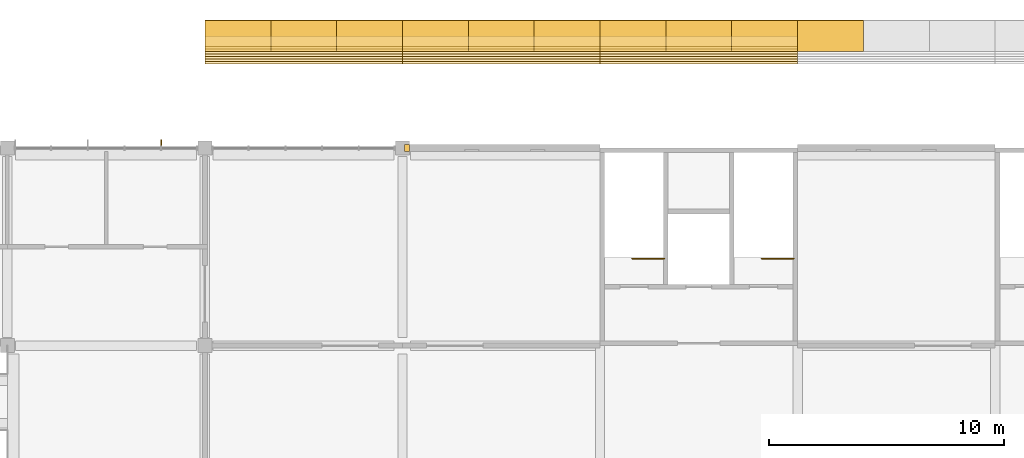
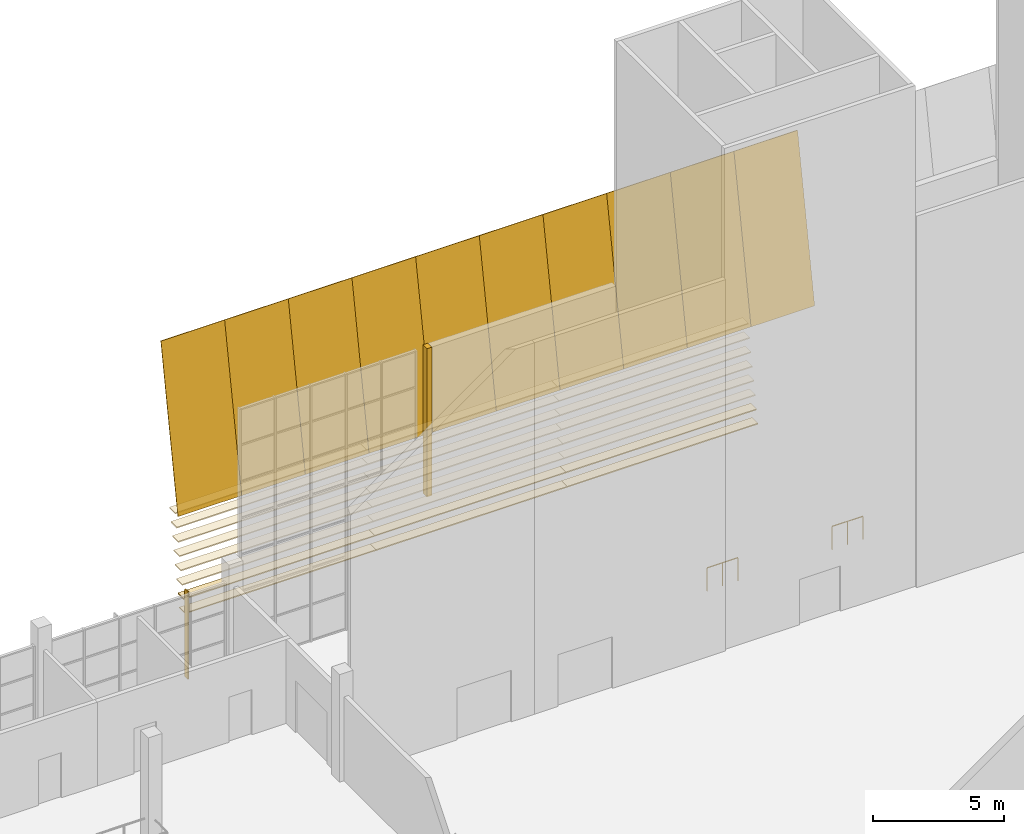
# One storey, part 56 of 59: 35 coverings, 2 railings, 1 shading device.
"""IFC4 building model written with IfcOpenShell, lengths in metres."""

from ifc_helpers import new_model, si_unit, direction, frame, origin, origin_2d, place, context, subcontext, project, spatial, polyline, rectangle, circle, outline, extrude, material, layer, layer_set, material_profile, profile_set, type_object, element, save


model = new_model("IFC4")

# Units and contexts
model_context = context("Model", 3, precision=1e-05, world=origin(), true_north=direction((0.0, 1.0)))
body_context = subcontext(model_context, "Body", "Model", "MODEL_VIEW")
ifc_project = project(units=[si_unit("LENGTHUNIT", "METRE"), si_unit("AREAUNIT", "SQUARE_METRE"), si_unit("VOLUMEUNIT", "CUBIC_METRE"), si_unit("PLANEANGLEUNIT", "RADIAN"), si_unit("MASSUNIT", "GRAM", prefix="KILO")], contexts=[model_context])

# Site, building, storey
site_placement = place(None, origin())
site = spatial("IfcSite", under=ifc_project, at=site_placement, CompositionType="ELEMENT")
building_placement = place(site_placement, origin())
building = spatial("IfcBuilding", under=site, at=building_placement, Name="Almond Square Museum", CompositionType="ELEMENT")
storey_placement = place(building_placement, frame((0.0, 0.0, 25.0)))
storey = spatial("IfcBuildingStorey", under=building, at=storey_placement, Name="L04", CompositionType="ELEMENT", Elevation=25.0)

# Coverings
ifc_material_1 = material(Name="Cedar timber louvre board", Category="wood")
ifc_material_profile_1 = material_profile(ifc_material_1, rectangle(XDim=0.449951171875, YDim=0.050048828125, at=origin_2d()))
ifc_profile_set_1 = profile_set([ifc_material_profile_1], Name="Cedar timber louvre board")
covering_type_1 = type_object("IfcCoveringType", Name="Louvre board 450 x 50", PredefinedType="CLADDING", material=ifc_profile_set_1)
covering_1_placement = place(storey_placement, frame((106.800048828125, 112.997802734375, 0.300048828125), z_axis=(1.0, 0.0, 0.0), x_axis=(0.0, 1.0, 0.0)))
element("IfcCovering", 1, at=covering_1_placement, inside=storey, type_object=covering_type_1, Name="Louvre board N31.01", PredefinedType="CLADDING", context=body_context, shape_type="SweptSolid", body=[
    extrude(rectangle(XDim=0.449951171875, YDim=0.050048828125, at=origin_2d()), origin(), (0.0, 0.0, 1.0), 8.39990234375),
])
covering_2_placement = place(storey_placement, frame((115.199951171875, 112.997802734375, 0.300048828125), z_axis=(1.0, 0.0, 0.0), x_axis=(0.0, 1.0, 0.0)))
element("IfcCovering", 2, at=covering_2_placement, inside=storey, type_object=covering_type_1, Name="Louvre board N31.02", PredefinedType="CLADDING", context=body_context, shape_type="SweptSolid", body=[
    extrude(rectangle(XDim=0.449951171875, YDim=0.050048828125, at=origin_2d()), origin(), (0.0, 0.0, 1.0), 8.400146484375),
])
for number, where, z_axis, x_axis, name in (
    (3, (123.60009765625, 112.997802734375, 0.300048828125), (1.0, 0.0, 0.0), (0.0, 1.0, 0.0), "Louvre board N31.03"),
    (4, (106.800048828125, 113.103515625, 0.89990234375), (1.0, 0.0, 0.0), (0.0, 1.0, 0.0), "Louvre board N32.01"),
):
    element("IfcCovering", number, at=place(storey_placement, frame(where, z_axis=z_axis, x_axis=x_axis)), inside=storey, type_object=covering_type_1, Name=name, PredefinedType="CLADDING", context=body_context, shape_type="SweptSolid", body=[
        extrude(rectangle(XDim=0.449951171875, YDim=0.050048828125, at=origin_2d()), origin(), (0.0, 0.0, 1.0), 8.39990234375),
    ])
covering_3_placement = place(storey_placement, frame((115.199951171875, 113.103515625, 0.89990234375), z_axis=(1.0, 0.0, 0.0), x_axis=(0.0, 1.0, 0.0)))
element("IfcCovering", 5, at=covering_3_placement, inside=storey, type_object=covering_type_1, Name="Louvre board N32.02", PredefinedType="CLADDING", context=body_context, shape_type="SweptSolid", body=[
    extrude(rectangle(XDim=0.449951171875, YDim=0.050048828125, at=origin_2d()), origin(), (0.0, 0.0, 1.0), 8.400146484375),
])
for number, where, z_axis, x_axis, name in (
    (6, (123.60009765625, 113.103515625, 0.89990234375), (1.0, 0.0, 0.0), (0.0, 1.0, 0.0), "Louvre board N32.03"),
    (7, (106.800048828125, 113.209228515625, 1.5), (1.0, 0.0, 0.0), (0.0, 1.0, 0.0), "Louvre board N33.01"),
):
    element("IfcCovering", number, at=place(storey_placement, frame(where, z_axis=z_axis, x_axis=x_axis)), inside=storey, type_object=covering_type_1, Name=name, PredefinedType="CLADDING", context=body_context, shape_type="SweptSolid", body=[
        extrude(rectangle(XDim=0.449951171875, YDim=0.050048828125, at=origin_2d()), origin(), (0.0, 0.0, 1.0), 8.39990234375),
    ])
covering_4_placement = place(storey_placement, frame((115.199951171875, 113.209228515625, 1.5), z_axis=(1.0, 0.0, 0.0), x_axis=(0.0, 1.0, 0.0)))
element("IfcCovering", 8, at=covering_4_placement, inside=storey, type_object=covering_type_1, Name="Louvre board N33.02", PredefinedType="CLADDING", context=body_context, shape_type="SweptSolid", body=[
    extrude(rectangle(XDim=0.449951171875, YDim=0.050048828125, at=origin_2d()), origin(), (0.0, 0.0, 1.0), 8.400146484375),
])
for number, where, z_axis, x_axis, name in (
    (9, (123.60009765625, 113.209228515625, 1.5), (1.0, 0.0, 0.0), (0.0, 1.0, 0.0), "Louvre board N33.03"),
    (10, (106.800048828125, 113.315185546875, 2.10009765625), (1.0, 0.0, 0.0), (0.0, 1.0, 0.0), "Louvre board N34.01"),
):
    element("IfcCovering", number, at=place(storey_placement, frame(where, z_axis=z_axis, x_axis=x_axis)), inside=storey, type_object=covering_type_1, Name=name, PredefinedType="CLADDING", context=body_context, shape_type="SweptSolid", body=[
        extrude(rectangle(XDim=0.449951171875, YDim=0.050048828125, at=origin_2d()), origin(), (0.0, 0.0, 1.0), 8.39990234375),
    ])
covering_5_placement = place(storey_placement, frame((115.199951171875, 113.315185546875, 2.10009765625), z_axis=(1.0, 0.0, 0.0), x_axis=(0.0, 1.0, 0.0)))
element("IfcCovering", 11, at=covering_5_placement, inside=storey, type_object=covering_type_1, Name="Louvre board N34.02", PredefinedType="CLADDING", context=body_context, shape_type="SweptSolid", body=[
    extrude(rectangle(XDim=0.449951171875, YDim=0.050048828125, at=origin_2d()), origin(), (0.0, 0.0, 1.0), 8.400146484375),
])
for number, where, z_axis, x_axis, name in (
    (12, (123.60009765625, 113.315185546875, 2.10009765625), (1.0, 0.0, 0.0), (0.0, 1.0, 0.0), "Louvre board N34.03"),
    (13, (106.800048828125, 113.4208984375, 2.699951171875), (1.0, 0.0, 0.0), (0.0, 1.0, 0.0), "Louvre board N35.01"),
):
    element("IfcCovering", number, at=place(storey_placement, frame(where, z_axis=z_axis, x_axis=x_axis)), inside=storey, type_object=covering_type_1, Name=name, PredefinedType="CLADDING", context=body_context, shape_type="SweptSolid", body=[
        extrude(rectangle(XDim=0.449951171875, YDim=0.050048828125, at=origin_2d()), origin(), (0.0, 0.0, 1.0), 8.39990234375),
    ])
covering_6_placement = place(storey_placement, frame((115.199951171875, 113.4208984375, 2.699951171875), z_axis=(1.0, 0.0, 0.0), x_axis=(0.0, 1.0, 0.0)))
element("IfcCovering", 14, at=covering_6_placement, inside=storey, type_object=covering_type_1, Name="Louvre board N35.02", PredefinedType="CLADDING", context=body_context, shape_type="SweptSolid", body=[
    extrude(rectangle(XDim=0.449951171875, YDim=0.050048828125, at=origin_2d()), origin(), (0.0, 0.0, 1.0), 8.400146484375),
])
for number, where, z_axis, x_axis, name in (
    (15, (123.60009765625, 113.4208984375, 2.699951171875), (1.0, 0.0, 0.0), (0.0, 1.0, 0.0), "Louvre board N35.03"),
    (16, (106.800048828125, 113.526611328125, 3.300048828125), (1.0, 0.0, 0.0), (0.0, 1.0, 0.0), "Louvre board N36.01"),
):
    element("IfcCovering", number, at=place(storey_placement, frame(where, z_axis=z_axis, x_axis=x_axis)), inside=storey, type_object=covering_type_1, Name=name, PredefinedType="CLADDING", context=body_context, shape_type="SweptSolid", body=[
        extrude(rectangle(XDim=0.449951171875, YDim=0.050048828125, at=origin_2d()), origin(), (0.0, 0.0, 1.0), 8.39990234375),
    ])
covering_7_placement = place(storey_placement, frame((115.199951171875, 113.526611328125, 3.300048828125), z_axis=(1.0, 0.0, 0.0), x_axis=(0.0, 1.0, 0.0)))
element("IfcCovering", 17, at=covering_7_placement, inside=storey, type_object=covering_type_1, Name="Louvre board N36.02", PredefinedType="CLADDING", context=body_context, shape_type="SweptSolid", body=[
    extrude(rectangle(XDim=0.449951171875, YDim=0.050048828125, at=origin_2d()), origin(), (0.0, 0.0, 1.0), 8.400146484375),
])
for number, where, z_axis, x_axis, name in (
    (18, (123.60009765625, 113.526611328125, 3.300048828125), (1.0, 0.0, 0.0), (0.0, 1.0, 0.0), "Louvre board N36.03"),
    (19, (106.800048828125, 113.632568359375, 3.89990234375), (1.0, 0.0, 0.0), (0.0, 1.0, 0.0), "Louvre board N37.01"),
):
    element("IfcCovering", number, at=place(storey_placement, frame(where, z_axis=z_axis, x_axis=x_axis)), inside=storey, type_object=covering_type_1, Name=name, PredefinedType="CLADDING", context=body_context, shape_type="SweptSolid", body=[
        extrude(rectangle(XDim=0.449951171875, YDim=0.050048828125, at=origin_2d()), origin(), (0.0, 0.0, 1.0), 8.39990234375),
    ])
covering_8_placement = place(storey_placement, frame((115.199951171875, 113.632568359375, 3.89990234375), z_axis=(1.0, 0.0, 0.0), x_axis=(0.0, 1.0, 0.0)))
element("IfcCovering", 20, at=covering_8_placement, inside=storey, type_object=covering_type_1, Name="Louvre board N37.02", PredefinedType="CLADDING", context=body_context, shape_type="SweptSolid", body=[
    extrude(rectangle(XDim=0.449951171875, YDim=0.050048828125, at=origin_2d()), origin(), (0.0, 0.0, 1.0), 8.400146484375),
])
for number, where, z_axis, x_axis, name in (
    (21, (123.60009765625, 113.632568359375, 3.89990234375), (1.0, 0.0, 0.0), (0.0, 1.0, 0.0), "Louvre board N37.03"),
    (22, (106.800048828125, 113.73828125, 4.5), (1.0, 0.0, 0.0), (0.0, 1.0, 0.0), "Louvre board N38.01"),
):
    element("IfcCovering", number, at=place(storey_placement, frame(where, z_axis=z_axis, x_axis=x_axis)), inside=storey, type_object=covering_type_1, Name=name, PredefinedType="CLADDING", context=body_context, shape_type="SweptSolid", body=[
        extrude(rectangle(XDim=0.449951171875, YDim=0.050048828125, at=origin_2d()), origin(), (0.0, 0.0, 1.0), 8.39990234375),
    ])
covering_9_placement = place(storey_placement, frame((115.199951171875, 113.73828125, 4.5), z_axis=(1.0, 0.0, 0.0), x_axis=(0.0, 1.0, 0.0)))
element("IfcCovering", 23, at=covering_9_placement, inside=storey, type_object=covering_type_1, Name="Louvre board N38.02", PredefinedType="CLADDING", context=body_context, shape_type="SweptSolid", body=[
    extrude(rectangle(XDim=0.449951171875, YDim=0.050048828125, at=origin_2d()), origin(), (0.0, 0.0, 1.0), 8.400146484375),
])
covering_10_placement = place(storey_placement, frame((123.60009765625, 113.73828125, 4.5), z_axis=(1.0, 0.0, 0.0), x_axis=(0.0, 1.0, 0.0)))
element("IfcCovering", 24, at=covering_10_placement, inside=storey, type_object=covering_type_1, Name="Louvre board N38.03", PredefinedType="CLADDING", context=body_context, shape_type="SweptSolid", body=[
    extrude(rectangle(XDim=0.449951171875, YDim=0.050048828125, at=origin_2d()), origin(), (0.0, 0.0, 1.0), 8.39990234375),
])
ifc_material_2 = material(Name="Cedar timber sheathing panel", Category="wood")
ifc_layer_1 = layer(ifc_material_2, 0.030029296875)
ifc_layer_set_1 = layer_set([ifc_layer_1], Name="Cedar timber sheathing panel")
covering_type_2 = type_object("IfcCoveringType", Name="Louvre rain-screen backing panel 30", PredefinedType="CLADDING", material=ifc_layer_set_1)
covering_11_placement = place(storey_placement, frame((106.800048828125, 113.327880859375, 4.469970703125), z_axis=(0.0, -0.984808802053, 0.173642228156), x_axis=(1.0, 0.0, 0.0)))
element("IfcCovering", 25, at=covering_11_placement, inside=storey, type_object=covering_type_2, Name="Louvre rain-screen backing panel N01.07", PredefinedType="CLADDING", context=body_context, shape_type="SweptSolid", body=[
    extrude(outline(polyline([(0.0, 0.0), (2.800048828125, 0.0), (2.800048828125, 7.4939693245436825), (0.0, 7.4939693245436825), (0.0, 0.0)])), frame((0.0, 0.0, -0.01513671875)), (0.0, 0.0, 1.0), 0.030029296875),
])
covering_12_placement = place(storey_placement, frame((109.60009765625, 113.327880859375, 4.469970703125), z_axis=(0.0, -0.984808802053, 0.173642228156), x_axis=(1.0, 0.0, 0.0)))
element("IfcCovering", 26, at=covering_12_placement, inside=storey, type_object=covering_type_2, Name="Louvre rain-screen backing panel N02.07", PredefinedType="CLADDING", context=body_context, shape_type="SweptSolid", body=[
    extrude(outline(polyline([(0.0, 0.0), (2.7998046875, 0.0), (2.7998046875, 7.493969324543682), (0.0, 7.493969324543682), (0.0, 0.0)])), frame((0.0, 0.0, -0.01513671875)), (0.0, 0.0, 1.0), 0.030029296875),
])
for number, where, z_axis, x_axis, name in (
    (27, (112.39990234375, 113.327880859375, 4.469970703125), (0.0, -0.984808802053, 0.173642228156), (1.0, 0.0, 0.0), "Louvre rain-screen backing panel N03.07"),
    (28, (115.199951171875, 113.327880859375, 4.469970703125), (0.0, -0.984808802053, 0.173642228156), (1.0, 0.0, 0.0), "Louvre rain-screen backing panel N04.07"),
    (29, (118.0, 113.327880859375, 4.469970703125), (0.0, -0.984808802053, 0.173642228156), (1.0, 0.0, 0.0), "Louvre rain-screen backing panel N05.07"),
    (30, (120.800048828125, 113.327880859375, 4.469970703125), (0.0, -0.984808802053, 0.173642228156), (1.0, 0.0, 0.0), "Louvre rain-screen backing panel N06.07"),
):
    element("IfcCovering", number, at=place(storey_placement, frame(where, z_axis=z_axis, x_axis=x_axis)), inside=storey, type_object=covering_type_2, Name=name, PredefinedType="CLADDING", context=body_context, shape_type="SweptSolid", body=[
        extrude(outline(polyline([(0.0, 0.0), (2.800048828125, 0.0), (2.800048828125, 7.4939693245436825), (0.0, 7.4939693245436825), (0.0, 0.0)])), frame((0.0, 0.0, -0.01513671875)), (0.0, 0.0, 1.0), 0.030029296875),
    ])
covering_13_placement = place(storey_placement, frame((123.60009765625, 113.327880859375, 4.469970703125), z_axis=(0.0, -0.984808802053, 0.173642228156), x_axis=(1.0, 0.0, 0.0)))
element("IfcCovering", 31, at=covering_13_placement, inside=storey, type_object=covering_type_2, Name="Louvre rain-screen backing panel N07.07", PredefinedType="CLADDING", context=body_context, shape_type="SweptSolid", body=[
    extrude(outline(polyline([(0.0, 0.0), (2.7998046875, 0.0), (2.7998046875, 7.493969324543682), (0.0, 7.493969324543682), (0.0, 0.0)])), frame((0.0, 0.0, -0.01513671875)), (0.0, 0.0, 1.0), 0.030029296875),
])
for number, where, z_axis, x_axis, name in (
    (32, (126.39990234375, 113.327880859375, 4.469970703125), (0.0, -0.984808802053, 0.173642228156), (1.0, 0.0, 0.0), "Louvre rain-screen backing panel N08.07"),
    (33, (129.199951171875, 113.327880859375, 4.469970703125), (0.0, -0.984808802053, 0.173642228156), (1.0, 0.0, 0.0), "Louvre rain-screen backing panel N09.07"),
    (34, (132.0, 113.327880859375, 4.469970703125), (0.0, -0.984808802053, 0.173642228156), (1.0, 0.0, 0.0), "Louvre rain-screen backing panel N10.07"),
):
    element("IfcCovering", number, at=place(storey_placement, frame(where, z_axis=z_axis, x_axis=x_axis)), inside=storey, type_object=covering_type_2, Name=name, PredefinedType="CLADDING", context=body_context, shape_type="SweptSolid", body=[
        extrude(outline(polyline([(0.0, 0.0), (2.800048828125, 0.0), (2.800048828125, 7.4939693245436825), (0.0, 7.4939693245436825), (0.0, 0.0)])), frame((0.0, 0.0, -0.01513671875)), (0.0, 0.0, 1.0), 0.030029296875),
    ])

# Railings
ifc_material_3 = material(Name="Stainless steel and laminated glass", Category="steel")
railing_type = type_object("IfcRailingType", Name="Stair guard 1100 steel and glass", PredefinedType="GUARDRAIL", material=ifc_material_3)
for number, where, name in (
    (35, (126.330078125, 104.5, 0.0), "L04 ST-07 top well guard 1"),
    (36, (131.830078125, 104.5, 0.0), "L04 ST-08 top well guard 1"),
):
    element("IfcRailing", number, at=place(storey_placement, frame(where)), inside=storey, type_object=railing_type, Name=name, PredefinedType="GUARDRAIL", context=body_context, shape_type="SweptSolid", body=[
        extrude(circle(Radius=0.02392578125, at=origin_2d()), frame((0.0, 0.0, 1.076171875), z_axis=(-1.0, 0.0, 0.0), x_axis=(0.0, -1.0, 0.0)), (0.0, 0.0, 1.0), 1.35009765625),
        extrude(circle(Radius=0.02099609375, at=origin_2d()), origin(), (0.0, 0.0, 1.0), 1.052001953125),
        extrude(circle(Radius=0.02099609375, at=origin_2d()), frame((-0.675048828125, 0.0, 0.0)), (0.0, 0.0, 1.0), 1.052001953125),
        extrude(circle(Radius=0.02099609375, at=origin_2d()), frame((-1.35009765625, 0.0, 0.0)), (0.0, 0.0, 1.0), 1.052001953125),
    ])

# Shading device
ifc_material_4 = material(Name="Cedar timber fin", Category="wood")
ifc_material_profile_2 = material_profile(ifc_material_4, rectangle(XDim=0.25, YDim=0.050048828125, at=origin_2d()))
ifc_profile_set_2 = profile_set([ifc_material_profile_2], Name="Cedar timber fin")
shading_device_type = type_object("IfcShadingDeviceType", Name="Timber fin 250 x 50", PredefinedType="USERDEFINED", material=ifc_profile_set_2)
shading_device_placement = place(storey_placement, frame((104.93994140625, 109.423095703125, 0.0), z_axis=(0.0, 0.0, 1.0), x_axis=(0.0, 1.0, 0.0)))
element("IfcShadingDevice", 37, at=shading_device_placement, inside=storey, type_object=shading_device_type, Name="Timber fin", ObjectType="FIN", PredefinedType="USERDEFINED", context=body_context, shape_type="SweptSolid", body=[
    extrude(rectangle(XDim=0.25, YDim=0.050048828125, at=origin_2d()), origin(), (0.0, 0.0, 1.0), 4.050048828125),
])

# Covering
ifc_material_5 = material(Name="Cladding panel to match the wall")
ifc_layer_2 = layer(ifc_material_5, 0.050048828125)
ifc_layer_set_2 = layer_set([ifc_layer_2], Name="Cladding panel to match the wall")
covering_type_3 = type_object("IfcCoveringType", Name="Wall end closure panel", PredefinedType="CLADDING", material=ifc_layer_set_2)
covering_14_placement = place(storey_placement, frame((115.389892578125, 109.199951171875, 5.0), z_axis=(0.0, 0.0, 1.0), x_axis=(1.0, 0.0, 0.0)))
element("IfcCovering", 38, at=covering_14_placement, inside=storey, type_object=covering_type_3, Name="Wall end closure panel", PredefinedType="CLADDING", context=body_context, shape_type="SweptSolid", body=[
    extrude(rectangle(XDim=0.219970703125, YDim=0.300048828125, at=origin_2d()), origin(), (0.0, 0.0, 1.0), 6.89990234375),
])

save(model, "model.ifc")
